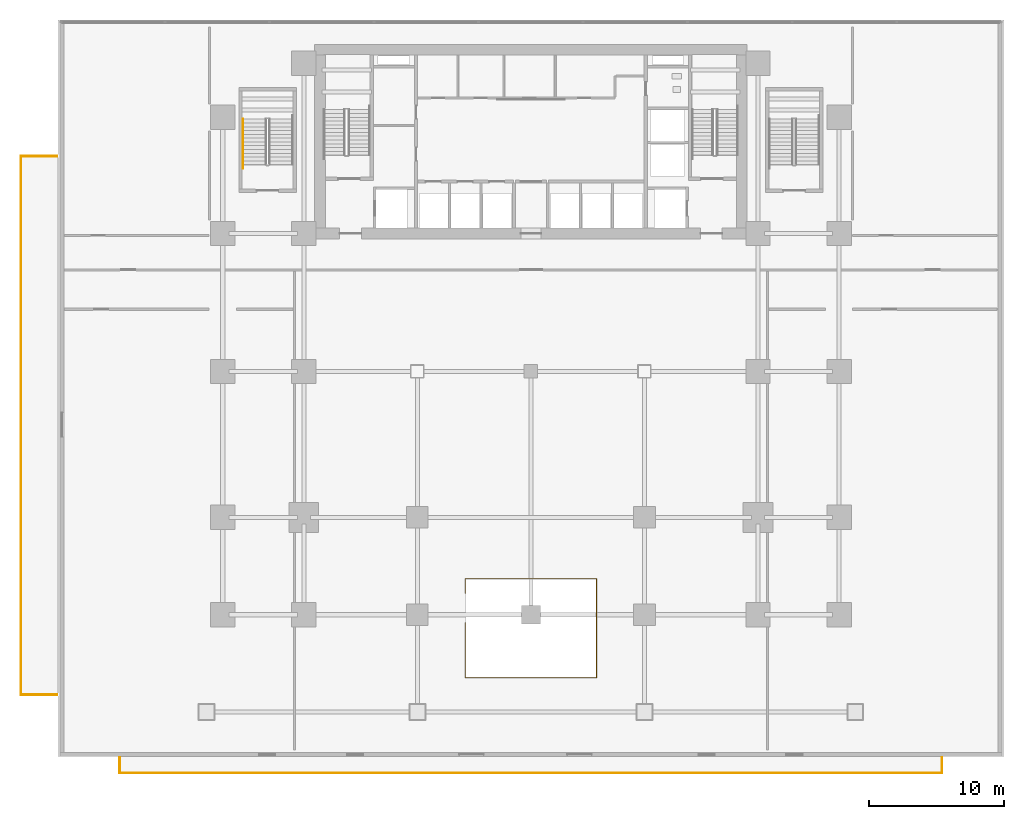
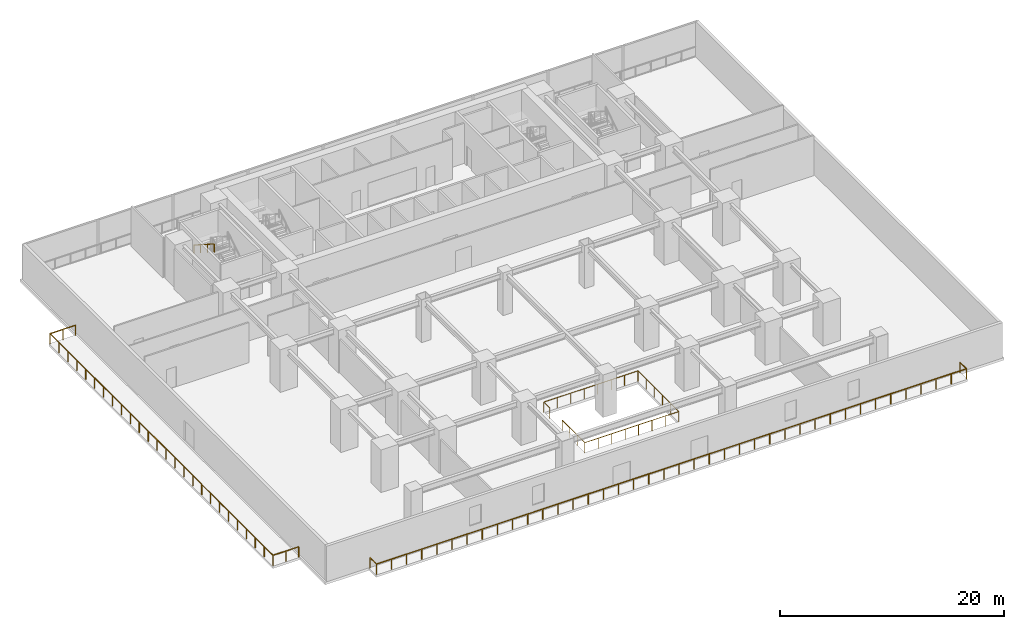
# One storey, part 12 of 17: 4 railings.
"""IFC4 building model written with IfcOpenShell, lengths in metres."""

from ifc_helpers import new_model, si_unit, direction, frame, origin, origin_2d, place, context, subcontext, project, spatial, rectangle, extrude, material, type_object, element, save


model = new_model("IFC4")

# Units and contexts
model_context = context("Model", 3, precision=1e-05, world=origin(), true_north=direction((0.0, 1.0)))
body_context = subcontext(model_context, "Body", "Model", "MODEL_VIEW")
ifc_project = project(units=[si_unit("LENGTHUNIT", "METRE"), si_unit("AREAUNIT", "SQUARE_METRE"), si_unit("VOLUMEUNIT", "CUBIC_METRE"), si_unit("PLANEANGLEUNIT", "RADIAN"), si_unit("MASSUNIT", "GRAM", prefix="KILO")], contexts=[model_context])

# Site, building, storey
site_placement = place(None, origin())
site = spatial("IfcSite", under=ifc_project, at=site_placement, CompositionType="ELEMENT")
building_placement = place(site_placement, origin())
building = spatial("IfcBuilding", under=site, at=building_placement, Name="Sumidabori Civic Tower", CompositionType="ELEMENT")
storey_placement = place(building_placement, frame((0.0, 0.0, 9.64990234375)))
storey = spatial("IfcBuildingStorey", under=building, at=storey_placement, Name="L02", CompositionType="ELEMENT", Elevation=9.64990234375)

# Railings
ifc_material_1 = material(Name="Anodised Bronze Aluminium AW-6063-T6", Category="aluminium")
railing_type_1 = type_object("IfcRailingType", Name="RL-BAL-1150", PredefinedType="BALUSTRADE", material=ifc_material_1)
railing_1_placement = place(storey_placement, frame((-30.419921875, -28.580078125, 0.0)))
element("IfcRailing", 1, at=railing_1_placement, inside=storey, type_object=railing_type_1, Name="Podium Terrace Balustrade TER-L02-S", PredefinedType="BALUSTRADE", context=body_context, shape_type="SweptSolid", body=[
    extrude(rectangle(XDim=0.048095703125, YDim=0.048095703125, at=origin_2d()), frame((0.0, 0.0, 1.1259765625), z_axis=(0.0, -1.0, 0.0), x_axis=(1.0, 0.0, 0.0)), (0.0, 0.0, 1.0), 1.139892578125),
    extrude(rectangle(XDim=0.048095703125, YDim=0.048095703125, at=origin_2d()), frame((0.0, -1.139892578125, 1.1259765625), z_axis=(1.0, 0.0, 0.0), x_axis=(0.0, 1.0, 0.0)), (0.0, 0.0, 1.0), 60.83984375),
    extrude(rectangle(XDim=0.048095703125, YDim=0.048095703125, at=origin_2d()), frame((60.83984375, -1.139892578125, 1.1259765625), z_axis=(0.0, 1.0, 0.0), x_axis=(-1.0, 0.0, 0.0)), (0.0, 0.0, 1.0), 1.139892578125),
    extrude(rectangle(XDim=0.0419921875, YDim=0.0419921875, at=origin_2d()), origin(), (0.0, 0.0, 1.0), 1.101806640625),
    extrude(rectangle(XDim=0.0419921875, YDim=0.0419921875, at=origin_2d()), frame((0.0, -1.139892578125, 0.0)), (0.0, 0.0, 1.0), 1.101806640625),
    extrude(rectangle(XDim=0.0419921875, YDim=0.0419921875, at=origin_2d()), frame((1.56005859375, -1.139892578125, 0.0)), (0.0, 0.0, 1.0), 1.101806640625),
    extrude(rectangle(XDim=0.0419921875, YDim=0.0419921875, at=origin_2d()), frame((3.119873046875, -1.139892578125, 0.0)), (0.0, 0.0, 1.0), 1.101806640625),
    extrude(rectangle(XDim=0.0419921875, YDim=0.0419921875, at=origin_2d()), frame((4.679931640625, -1.139892578125, 0.0)), (0.0, 0.0, 1.0), 1.101806640625),
    extrude(rectangle(XDim=0.0419921875, YDim=0.0419921875, at=origin_2d()), frame((6.239990234375, -1.139892578125, 0.0)), (0.0, 0.0, 1.0), 1.101806640625),
    extrude(rectangle(XDim=0.0419921875, YDim=0.0419921875, at=origin_2d()), frame((7.800048828125, -1.139892578125, 0.0)), (0.0, 0.0, 1.0), 1.101806640625),
    extrude(rectangle(XDim=0.0419921875, YDim=0.0419921875, at=origin_2d()), frame((9.35986328125, -1.139892578125, 0.0)), (0.0, 0.0, 1.0), 1.101806640625),
    extrude(rectangle(XDim=0.0419921875, YDim=0.0419921875, at=origin_2d()), frame((10.919921875, -1.139892578125, 0.0)), (0.0, 0.0, 1.0), 1.101806640625),
    extrude(rectangle(XDim=0.0419921875, YDim=0.0419921875, at=origin_2d()), frame((12.47998046875, -1.139892578125, 0.0)), (0.0, 0.0, 1.0), 1.101806640625),
    extrude(rectangle(XDim=0.0419921875, YDim=0.0419921875, at=origin_2d()), frame((14.0400390625, -1.139892578125, 0.0)), (0.0, 0.0, 1.0), 1.101806640625),
    extrude(rectangle(XDim=0.0419921875, YDim=0.0419921875, at=origin_2d()), frame((15.599853515625, -1.139892578125, 0.0)), (0.0, 0.0, 1.0), 1.101806640625),
    extrude(rectangle(XDim=0.0419921875, YDim=0.0419921875, at=origin_2d()), frame((17.159912109375, -1.139892578125, 0.0)), (0.0, 0.0, 1.0), 1.101806640625),
    extrude(rectangle(XDim=0.0419921875, YDim=0.0419921875, at=origin_2d()), frame((18.719970703125, -1.139892578125, 0.0)), (0.0, 0.0, 1.0), 1.101806640625),
    extrude(rectangle(XDim=0.0419921875, YDim=0.0419921875, at=origin_2d()), frame((20.280029296875, -1.139892578125, 0.0)), (0.0, 0.0, 1.0), 1.101806640625),
    extrude(rectangle(XDim=0.0419921875, YDim=0.0419921875, at=origin_2d()), frame((21.83984375, -1.139892578125, 0.0)), (0.0, 0.0, 1.0), 1.101806640625),
    extrude(rectangle(XDim=0.0419921875, YDim=0.0419921875, at=origin_2d()), frame((23.39990234375, -1.139892578125, 0.0)), (0.0, 0.0, 1.0), 1.101806640625),
    extrude(rectangle(XDim=0.0419921875, YDim=0.0419921875, at=origin_2d()), frame((24.9599609375, -1.139892578125, 0.0)), (0.0, 0.0, 1.0), 1.101806640625),
    extrude(rectangle(XDim=0.0419921875, YDim=0.0419921875, at=origin_2d()), frame((26.52001953125, -1.139892578125, 0.0)), (0.0, 0.0, 1.0), 1.101806640625),
    extrude(rectangle(XDim=0.0419921875, YDim=0.0419921875, at=origin_2d()), frame((28.079833984375, -1.139892578125, 0.0)), (0.0, 0.0, 1.0), 1.101806640625),
    extrude(rectangle(XDim=0.0419921875, YDim=0.0419921875, at=origin_2d()), frame((29.639892578125, -1.139892578125, 0.0)), (0.0, 0.0, 1.0), 1.101806640625),
    extrude(rectangle(XDim=0.0419921875, YDim=0.0419921875, at=origin_2d()), frame((31.199951171875, -1.139892578125, 0.0)), (0.0, 0.0, 1.0), 1.101806640625),
    extrude(rectangle(XDim=0.0419921875, YDim=0.0419921875, at=origin_2d()), frame((32.760009765625, -1.139892578125, 0.0)), (0.0, 0.0, 1.0), 1.101806640625),
    extrude(rectangle(XDim=0.0419921875, YDim=0.0419921875, at=origin_2d()), frame((34.31982421875, -1.139892578125, 0.0)), (0.0, 0.0, 1.0), 1.101806640625),
    extrude(rectangle(XDim=0.0419921875, YDim=0.0419921875, at=origin_2d()), frame((35.8798828125, -1.139892578125, 0.0)), (0.0, 0.0, 1.0), 1.101806640625),
    extrude(rectangle(XDim=0.0419921875, YDim=0.0419921875, at=origin_2d()), frame((37.43994140625, -1.139892578125, 0.0)), (0.0, 0.0, 1.0), 1.101806640625),
    extrude(rectangle(XDim=0.0419921875, YDim=0.0419921875, at=origin_2d()), frame((39.0, -1.139892578125, 0.0)), (0.0, 0.0, 1.0), 1.101806640625),
    extrude(rectangle(XDim=0.0419921875, YDim=0.0419921875, at=origin_2d()), frame((40.559814453125, -1.139892578125, 0.0)), (0.0, 0.0, 1.0), 1.101806640625),
    extrude(rectangle(XDim=0.0419921875, YDim=0.0419921875, at=origin_2d()), frame((42.119873046875, -1.139892578125, 0.0)), (0.0, 0.0, 1.0), 1.101806640625),
    extrude(rectangle(XDim=0.0419921875, YDim=0.0419921875, at=origin_2d()), frame((43.679931640625, -1.139892578125, 0.0)), (0.0, 0.0, 1.0), 1.101806640625),
    extrude(rectangle(XDim=0.0419921875, YDim=0.0419921875, at=origin_2d()), frame((45.239990234375, -1.139892578125, 0.0)), (0.0, 0.0, 1.0), 1.101806640625),
    extrude(rectangle(XDim=0.0419921875, YDim=0.0419921875, at=origin_2d()), frame((46.7998046875, -1.139892578125, 0.0)), (0.0, 0.0, 1.0), 1.101806640625),
    extrude(rectangle(XDim=0.0419921875, YDim=0.0419921875, at=origin_2d()), frame((48.35986328125, -1.139892578125, 0.0)), (0.0, 0.0, 1.0), 1.101806640625),
    extrude(rectangle(XDim=0.0419921875, YDim=0.0419921875, at=origin_2d()), frame((49.919921875, -1.139892578125, 0.0)), (0.0, 0.0, 1.0), 1.101806640625),
    extrude(rectangle(XDim=0.0419921875, YDim=0.0419921875, at=origin_2d()), frame((51.47998046875, -1.139892578125, 0.0)), (0.0, 0.0, 1.0), 1.101806640625),
    extrude(rectangle(XDim=0.0419921875, YDim=0.0419921875, at=origin_2d()), frame((53.039794921875, -1.139892578125, 0.0)), (0.0, 0.0, 1.0), 1.101806640625),
    extrude(rectangle(XDim=0.0419921875, YDim=0.0419921875, at=origin_2d()), frame((54.599853515625, -1.139892578125, 0.0)), (0.0, 0.0, 1.0), 1.101806640625),
    extrude(rectangle(XDim=0.0419921875, YDim=0.0419921875, at=origin_2d()), frame((56.159912109375, -1.139892578125, 0.0)), (0.0, 0.0, 1.0), 1.101806640625),
    extrude(rectangle(XDim=0.0419921875, YDim=0.0419921875, at=origin_2d()), frame((57.719970703125, -1.139892578125, 0.0)), (0.0, 0.0, 1.0), 1.101806640625),
    extrude(rectangle(XDim=0.0419921875, YDim=0.0419921875, at=origin_2d()), frame((59.27978515625, -1.139892578125, 0.0)), (0.0, 0.0, 1.0), 1.101806640625),
    extrude(rectangle(XDim=0.0419921875, YDim=0.0419921875, at=origin_2d()), frame((60.83984375, -1.139892578125, 0.0)), (0.0, 0.0, 1.0), 1.101806640625),
    extrude(rectangle(XDim=0.0419921875, YDim=0.0419921875, at=origin_2d()), frame((60.83984375, 0.0, 0.0)), (0.0, 0.0, 1.0), 1.101806640625),
])
railing_2_placement = place(storey_placement, frame((-35.080078125, -23.919921875, 0.0)))
element("IfcRailing", 2, at=railing_2_placement, inside=storey, type_object=railing_type_1, Name="Podium Terrace Balustrade TER-L02-W", PredefinedType="BALUSTRADE", context=body_context, shape_type="SweptSolid", body=[
    extrude(rectangle(XDim=0.048095703125, YDim=0.048095703125, at=origin_2d()), frame((0.0, 0.0, 1.1259765625), z_axis=(-1.0, 0.0, 0.0), x_axis=(0.0, -1.0, 0.0)), (0.0, 0.0, 1.0), 2.639892578125),
    extrude(rectangle(XDim=0.048095703125, YDim=0.048095703125, at=origin_2d()), frame((-2.639892578125, 0.0, 1.1259765625), z_axis=(0.0, 1.0, 0.0), x_axis=(-1.0, 0.0, 0.0)), (0.0, 0.0, 1.0), 39.83984375),
    extrude(rectangle(XDim=0.048095703125, YDim=0.048095703125, at=origin_2d()), frame((-2.639892578125, 39.83984375, 1.1259765625), z_axis=(1.0, 0.0, 0.0), x_axis=(0.0, 1.0, 0.0)), (0.0, 0.0, 1.0), 2.639892578125),
    extrude(rectangle(XDim=0.0419921875, YDim=0.0419921875, at=origin_2d()), origin(), (0.0, 0.0, 1.0), 1.101806640625),
    extrude(rectangle(XDim=0.0419921875, YDim=0.0419921875, at=origin_2d()), frame((-1.31982421875, 0.0, 0.0)), (0.0, 0.0, 1.0), 1.101806640625),
    extrude(rectangle(XDim=0.0419921875, YDim=0.0419921875, at=origin_2d()), frame((-2.639892578125, 0.0, 0.0)), (0.0, 0.0, 1.0), 1.101806640625),
    extrude(rectangle(XDim=0.0419921875, YDim=0.0419921875, at=origin_2d()), frame((-2.639892578125, 1.593505859375, 0.0)), (0.0, 0.0, 1.0), 1.101806640625),
    extrude(rectangle(XDim=0.0419921875, YDim=0.0419921875, at=origin_2d()), frame((-2.639892578125, 3.187255859375, 0.0)), (0.0, 0.0, 1.0), 1.101806640625),
    extrude(rectangle(XDim=0.0419921875, YDim=0.0419921875, at=origin_2d()), frame((-2.639892578125, 4.78076171875, 0.0)), (0.0, 0.0, 1.0), 1.101806640625),
    extrude(rectangle(XDim=0.0419921875, YDim=0.0419921875, at=origin_2d()), frame((-2.639892578125, 6.374267578125, 0.0)), (0.0, 0.0, 1.0), 1.101806640625),
    extrude(rectangle(XDim=0.0419921875, YDim=0.0419921875, at=origin_2d()), frame((-2.639892578125, 7.968017578125, 0.0)), (0.0, 0.0, 1.0), 1.101806640625),
    extrude(rectangle(XDim=0.0419921875, YDim=0.0419921875, at=origin_2d()), frame((-2.639892578125, 9.5615234375, 0.0)), (0.0, 0.0, 1.0), 1.101806640625),
    extrude(rectangle(XDim=0.0419921875, YDim=0.0419921875, at=origin_2d()), frame((-2.639892578125, 11.1552734375, 0.0)), (0.0, 0.0, 1.0), 1.101806640625),
    extrude(rectangle(XDim=0.0419921875, YDim=0.0419921875, at=origin_2d()), frame((-2.639892578125, 12.748779296875, 0.0)), (0.0, 0.0, 1.0), 1.101806640625),
    extrude(rectangle(XDim=0.0419921875, YDim=0.0419921875, at=origin_2d()), frame((-2.639892578125, 14.34228515625, 0.0)), (0.0, 0.0, 1.0), 1.101806640625),
    extrude(rectangle(XDim=0.0419921875, YDim=0.0419921875, at=origin_2d()), frame((-2.639892578125, 15.93603515625, 0.0)), (0.0, 0.0, 1.0), 1.101806640625),
    extrude(rectangle(XDim=0.0419921875, YDim=0.0419921875, at=origin_2d()), frame((-2.639892578125, 17.529541015625, 0.0)), (0.0, 0.0, 1.0), 1.101806640625),
    extrude(rectangle(XDim=0.0419921875, YDim=0.0419921875, at=origin_2d()), frame((-2.639892578125, 19.123046875, 0.0)), (0.0, 0.0, 1.0), 1.101806640625),
    extrude(rectangle(XDim=0.0419921875, YDim=0.0419921875, at=origin_2d()), frame((-2.639892578125, 20.716796875, 0.0)), (0.0, 0.0, 1.0), 1.101806640625),
    extrude(rectangle(XDim=0.0419921875, YDim=0.0419921875, at=origin_2d()), frame((-2.639892578125, 22.310302734375, 0.0)), (0.0, 0.0, 1.0), 1.101806640625),
    extrude(rectangle(XDim=0.0419921875, YDim=0.0419921875, at=origin_2d()), frame((-2.639892578125, 23.90380859375, 0.0)), (0.0, 0.0, 1.0), 1.101806640625),
    extrude(rectangle(XDim=0.0419921875, YDim=0.0419921875, at=origin_2d()), frame((-2.639892578125, 25.49755859375, 0.0)), (0.0, 0.0, 1.0), 1.101806640625),
    extrude(rectangle(XDim=0.0419921875, YDim=0.0419921875, at=origin_2d()), frame((-2.639892578125, 27.091064453125, 0.0)), (0.0, 0.0, 1.0), 1.101806640625),
    extrude(rectangle(XDim=0.0419921875, YDim=0.0419921875, at=origin_2d()), frame((-2.639892578125, 28.6845703125, 0.0)), (0.0, 0.0, 1.0), 1.101806640625),
    extrude(rectangle(XDim=0.0419921875, YDim=0.0419921875, at=origin_2d()), frame((-2.639892578125, 30.2783203125, 0.0)), (0.0, 0.0, 1.0), 1.101806640625),
    extrude(rectangle(XDim=0.0419921875, YDim=0.0419921875, at=origin_2d()), frame((-2.639892578125, 31.871826171875, 0.0)), (0.0, 0.0, 1.0), 1.101806640625),
    extrude(rectangle(XDim=0.0419921875, YDim=0.0419921875, at=origin_2d()), frame((-2.639892578125, 33.465576171875, 0.0)), (0.0, 0.0, 1.0), 1.101806640625),
    extrude(rectangle(XDim=0.0419921875, YDim=0.0419921875, at=origin_2d()), frame((-2.639892578125, 35.05908203125, 0.0)), (0.0, 0.0, 1.0), 1.101806640625),
    extrude(rectangle(XDim=0.0419921875, YDim=0.0419921875, at=origin_2d()), frame((-2.639892578125, 36.652587890625, 0.0)), (0.0, 0.0, 1.0), 1.101806640625),
    extrude(rectangle(XDim=0.0419921875, YDim=0.0419921875, at=origin_2d()), frame((-2.639892578125, 38.246337890625, 0.0)), (0.0, 0.0, 1.0), 1.101806640625),
    extrude(rectangle(XDim=0.0419921875, YDim=0.0419921875, at=origin_2d()), frame((-2.639892578125, 39.83984375, 0.0)), (0.0, 0.0, 1.0), 1.101806640625),
    extrude(rectangle(XDim=0.0419921875, YDim=0.0419921875, at=origin_2d()), frame((-1.31982421875, 39.83984375, 0.0)), (0.0, 0.0, 1.0), 1.101806640625),
    extrude(rectangle(XDim=0.0419921875, YDim=0.0419921875, at=origin_2d()), frame((0.0, 39.83984375, 0.0)), (0.0, 0.0, 1.0), 1.101806640625),
])
ifc_material_2 = material(Name="Stainless Steel Hairline Finish", Category="steel")
railing_type_2 = type_object("IfcRailingType", Name="RL-HANDRAIL", PredefinedType="HANDRAIL", material=ifc_material_2)
railing_3_placement = place(storey_placement, frame((-21.31005859375, 18.659912109375, 2.50390625)))
element("IfcRailing", 3, at=railing_3_placement, inside=storey, type_object=railing_type_2, Name="L02 ST-3 stair handrail 2", PredefinedType="HANDRAIL", context=body_context, shape_type="SweptSolid", body=[
    extrude(rectangle(XDim=0.048095703125, YDim=0.048095703125, at=origin_2d()), frame((0.0, 0.0, 0.8759765625), z_axis=(0.0, -0.842342193388, 0.538943066787), x_axis=(1.0, 0.0, 0.0)), (0.0, 0.0, 1.0), 4.321044921875),
    extrude(rectangle(XDim=0.0419921875, YDim=0.0419921875, at=origin_2d()), origin(), (0.0, 0.0, 1.0), 0.851806640625),
    extrude(rectangle(XDim=0.0419921875, YDim=0.0419921875, at=origin_2d()), frame((0.0, -1.21337890625, 0.7763671875)), (0.0, 0.0, 1.0), 0.851806640625),
    extrude(rectangle(XDim=0.0419921875, YDim=0.0419921875, at=origin_2d()), frame((0.0, -2.426513671875, 1.552490234375)), (0.0, 0.0, 1.0), 0.851806640625),
    extrude(rectangle(XDim=0.0419921875, YDim=0.0419921875, at=origin_2d()), frame((0.0, -3.639892578125, 2.328857421875)), (0.0, 0.0, 1.0), 0.851806640625),
])
ifc_material_3 = material(Name="Steel SN490", Category="steel")
railing_type_3 = type_object("IfcRailingType", Name="RL-STAIR-GUARD", PredefinedType="GUARDRAIL", material=ifc_material_3)
railing_4_placement = place(storey_placement, frame((-4.85009765625, -18.60009765625, 0.0)))
element("IfcRailing", 4, at=railing_4_placement, inside=storey, type_object=railing_type_3, Name="Podium Atrium Stairwell Guard L02", PredefinedType="GUARDRAIL", context=body_context, shape_type="SweptSolid", body=[
    extrude(rectangle(XDim=0.048095703125, YDim=0.048095703125, at=origin_2d()), frame((0.0, 0.0, 1.1259765625), z_axis=(0.0, -1.0, 0.0), x_axis=(1.0, 0.0, 0.0)), (0.0, 0.0, 1.0), 4.0498046875),
    extrude(rectangle(XDim=0.048095703125, YDim=0.048095703125, at=origin_2d()), frame((0.0, -4.0498046875, 1.1259765625), z_axis=(1.0, 0.0, 0.0), x_axis=(0.0, 1.0, 0.0)), (0.0, 0.0, 1.0), 9.7001953125),
    extrude(rectangle(XDim=0.048095703125, YDim=0.048095703125, at=origin_2d()), frame((9.7001953125, -4.0498046875, 1.1259765625), z_axis=(0.0, 1.0, 0.0), x_axis=(-1.0, 0.0, 0.0)), (0.0, 0.0, 1.0), 7.2998046875),
    extrude(rectangle(XDim=0.048095703125, YDim=0.048095703125, at=origin_2d()), frame((9.7001953125, 3.25, 1.1259765625), z_axis=(-1.0, 0.0, 0.0), x_axis=(0.0, -1.0, 0.0)), (0.0, 0.0, 1.0), 9.7001953125),
    extrude(rectangle(XDim=0.048095703125, YDim=0.048095703125, at=origin_2d()), frame((0.0, 3.25, 1.1259765625), z_axis=(0.0, -1.0, 0.0), x_axis=(1.0, 0.0, 0.0)), (0.0, 0.0, 1.0), 1.0498046875),
    extrude(rectangle(XDim=0.0419921875, YDim=0.0419921875, at=origin_2d()), origin(), (0.0, 0.0, 1.0), 1.101806640625),
    extrude(rectangle(XDim=0.0419921875, YDim=0.0419921875, at=origin_2d()), frame((0.0, -1.349853515625, 0.0)), (0.0, 0.0, 1.0), 1.101806640625),
    extrude(rectangle(XDim=0.0419921875, YDim=0.0419921875, at=origin_2d()), frame((0.0, -2.699951171875, 0.0)), (0.0, 0.0, 1.0), 1.101806640625),
    extrude(rectangle(XDim=0.0419921875, YDim=0.0419921875, at=origin_2d()), frame((0.0, -4.0498046875, 0.0)), (0.0, 0.0, 1.0), 1.101806640625),
    extrude(rectangle(XDim=0.0419921875, YDim=0.0419921875, at=origin_2d()), frame((1.3857421875, -4.0498046875, 0.0)), (0.0, 0.0, 1.0), 1.101806640625),
    extrude(rectangle(XDim=0.0419921875, YDim=0.0419921875, at=origin_2d()), frame((2.771484375, -4.0498046875, 0.0)), (0.0, 0.0, 1.0), 1.101806640625),
    extrude(rectangle(XDim=0.0419921875, YDim=0.0419921875, at=origin_2d()), frame((4.1572265625, -4.0498046875, 0.0)), (0.0, 0.0, 1.0), 1.101806640625),
    extrude(rectangle(XDim=0.0419921875, YDim=0.0419921875, at=origin_2d()), frame((5.54296875, -4.0498046875, 0.0)), (0.0, 0.0, 1.0), 1.101806640625),
    extrude(rectangle(XDim=0.0419921875, YDim=0.0419921875, at=origin_2d()), frame((6.9287109375, -4.0498046875, 0.0)), (0.0, 0.0, 1.0), 1.101806640625),
    extrude(rectangle(XDim=0.0419921875, YDim=0.0419921875, at=origin_2d()), frame((8.314453125, -4.0498046875, 0.0)), (0.0, 0.0, 1.0), 1.101806640625),
    extrude(rectangle(XDim=0.0419921875, YDim=0.0419921875, at=origin_2d()), frame((9.7001953125, -4.0498046875, 0.0)), (0.0, 0.0, 1.0), 1.101806640625),
    extrude(rectangle(XDim=0.0419921875, YDim=0.0419921875, at=origin_2d()), frame((9.7001953125, -2.58984375, 0.0)), (0.0, 0.0, 1.0), 1.101806640625),
    extrude(rectangle(XDim=0.0419921875, YDim=0.0419921875, at=origin_2d()), frame((9.7001953125, -1.1298828125, 0.0)), (0.0, 0.0, 1.0), 1.101806640625),
    extrude(rectangle(XDim=0.0419921875, YDim=0.0419921875, at=origin_2d()), frame((9.7001953125, 0.330078125, 0.0)), (0.0, 0.0, 1.0), 1.101806640625),
    extrude(rectangle(XDim=0.0419921875, YDim=0.0419921875, at=origin_2d()), frame((9.7001953125, 1.7900390625, 0.0)), (0.0, 0.0, 1.0), 1.101806640625),
    extrude(rectangle(XDim=0.0419921875, YDim=0.0419921875, at=origin_2d()), frame((9.7001953125, 3.25, 0.0)), (0.0, 0.0, 1.0), 1.101806640625),
    extrude(rectangle(XDim=0.0419921875, YDim=0.0419921875, at=origin_2d()), frame((8.314453125, 3.25, 0.0)), (0.0, 0.0, 1.0), 1.101806640625),
    extrude(rectangle(XDim=0.0419921875, YDim=0.0419921875, at=origin_2d()), frame((6.9287109375, 3.25, 0.0)), (0.0, 0.0, 1.0), 1.101806640625),
    extrude(rectangle(XDim=0.0419921875, YDim=0.0419921875, at=origin_2d()), frame((5.54296875, 3.25, 0.0)), (0.0, 0.0, 1.0), 1.101806640625),
    extrude(rectangle(XDim=0.0419921875, YDim=0.0419921875, at=origin_2d()), frame((4.1572265625, 3.25, 0.0)), (0.0, 0.0, 1.0), 1.101806640625),
    extrude(rectangle(XDim=0.0419921875, YDim=0.0419921875, at=origin_2d()), frame((2.771484375, 3.25, 0.0)), (0.0, 0.0, 1.0), 1.101806640625),
    extrude(rectangle(XDim=0.0419921875, YDim=0.0419921875, at=origin_2d()), frame((1.3857421875, 3.25, 0.0)), (0.0, 0.0, 1.0), 1.101806640625),
    extrude(rectangle(XDim=0.0419921875, YDim=0.0419921875, at=origin_2d()), frame((0.0, 3.25, 0.0)), (0.0, 0.0, 1.0), 1.101806640625),
    extrude(rectangle(XDim=0.0419921875, YDim=0.0419921875, at=origin_2d()), frame((0.0, 2.2001953125, 0.0)), (0.0, 0.0, 1.0), 1.101806640625),
])

save(model, "model.ifc")
